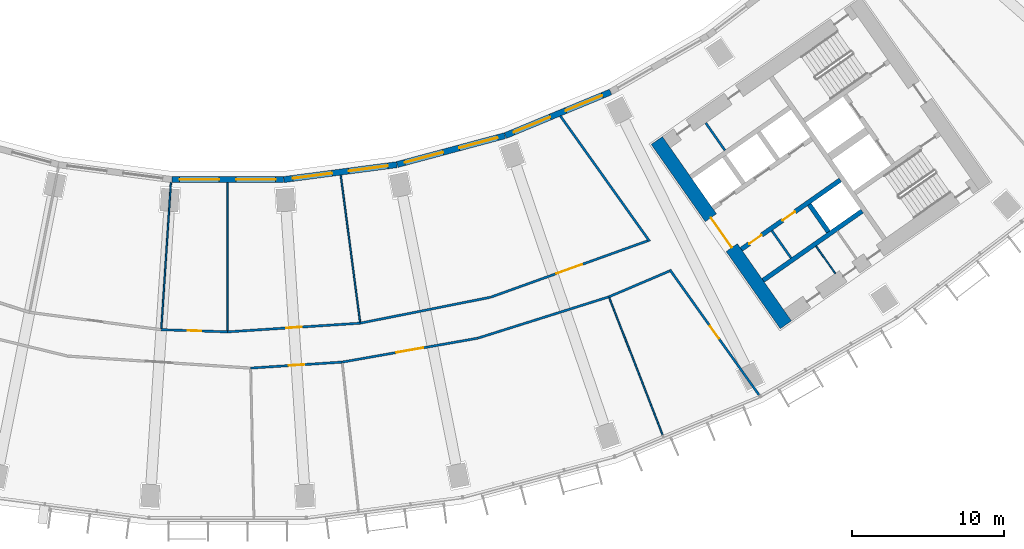
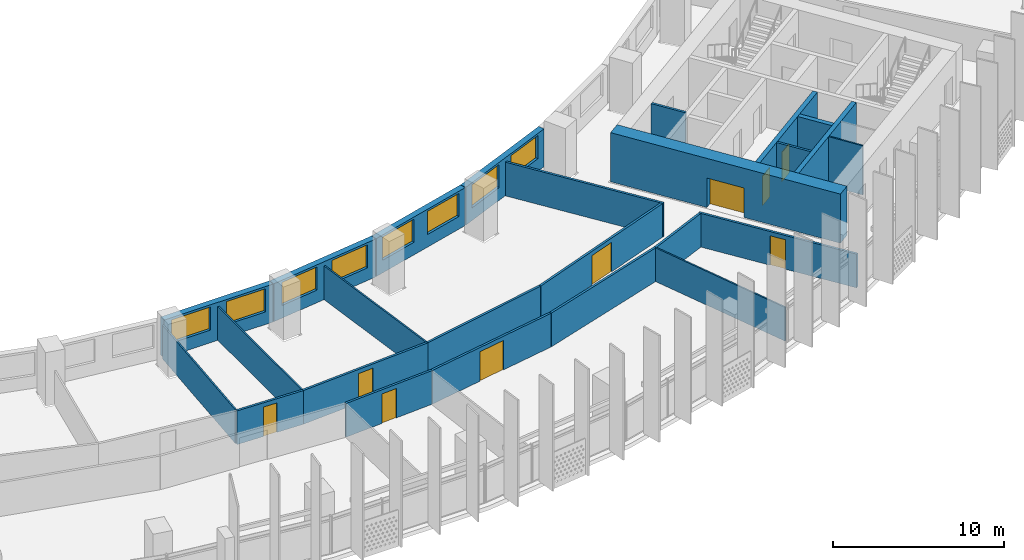
# One storey, part 6 of 33: 25 walls, 9 doors, 8 windows, 17 openings.
"""IFC4 building model written with IfcOpenShell, lengths in metres."""

from ifc_helpers import new_model, si_unit, direction, frame, frame_2d, origin, place, context, subcontext, project, spatial, rectangle, extrude, material, layer, layer_set, type_object, element, fill, save


model = new_model("IFC4")

# Units and contexts
model_context = context("Model", 3, precision=1e-05, world=origin(), true_north=direction((0.0, 1.0)))
body_context = subcontext(model_context, "Body", "Model", "MODEL_VIEW")
ifc_project = project(units=[si_unit("LENGTHUNIT", "METRE"), si_unit("AREAUNIT", "SQUARE_METRE"), si_unit("VOLUMEUNIT", "CUBIC_METRE"), si_unit("PLANEANGLEUNIT", "RADIAN"), si_unit("MASSUNIT", "GRAM", prefix="KILO")], contexts=[model_context])

# Site, building, storey
site_placement = place(None, origin())
site = spatial("IfcSite", under=ifc_project, at=site_placement, CompositionType="ELEMENT")
building_placement = place(site_placement, origin())
building = spatial("IfcBuilding", under=site, at=building_placement, Name="Qamariyya Broadcast Tower", CompositionType="ELEMENT")
storey_placement = place(building_placement, frame((0.0, 0.0, 94.89990234375)))
storey = spatial("IfcBuildingStorey", under=building, at=storey_placement, Name="L20", CompositionType="ELEMENT", Elevation=94.89990234375)

# Wall, opening, door
ifc_material_1 = material(Name="Concrete C70/85", Category="concrete")
ifc_layer_1 = layer(ifc_material_1, 0.89990234375)
ifc_layer_set_1 = layer_set([ifc_layer_1], Name="Core wall 900 mm Concrete C70/85")
wall_type_1 = type_object("IfcWallType", Name="Core wall 900 mm Concrete C70/85", PredefinedType="SHEAR", material=ifc_layer_set_1)
wall_1_placement = place(storey_placement, frame((36.716796875, -66.3369140625, 0.0), z_axis=(0.0, 0.0, 1.0), x_axis=(-0.573577477574, 0.819151315216, 0.0)))
wall_1 = element("IfcWall", 1, at=wall_1_placement, inside=storey, type_object=wall_type_1, Name="k-E-L20-WA", PredefinedType="SHEAR", context=body_context, shape_type="SweptSolid", body=[
    extrude(rectangle(XDim=14.800048828125, YDim=0.89990234375, at=frame_2d((7.39990234375, 0.0))), origin(), (0.0, 0.0, 1.0), 3.5),
])
opening_1_placement = place(wall_1_placement, frame((6.199951171875, 0.0, 0.0)))
opening_1 = element("IfcOpeningElement", 2, at=opening_1_placement, cuts=wall_1, Name="Opening KD3-E1", PredefinedType="OPENING", context=body_context, shape_type="SweptSolid", body=[
    extrude(rectangle(XDim=2.39990234375, YDim=2.10009765625, at=frame_2d((1.199951171875, 1.050048828125))), frame((0.0, 0.4599609375, 0.0), z_axis=(0.0, -1.0, 0.0), x_axis=(1.0, 0.0, 0.0)), (0.0, 0.0, 1.0), 0.919921875),
])
ifc_material_2 = material(Name="Steel fire-resisting door leaf", Category="steel")
door_type_1 = type_object("IfcDoorType", Name="Lift lobby door KD3", OperationType="DOUBLE_DOOR_SINGLE_SWING", PredefinedType="DOOR", material=ifc_material_2)
door_1_placement = place(opening_1_placement, origin())
door_1 = element("IfcDoor", 3, at=door_1_placement, inside=storey, type_object=door_type_1, Name="k-E-L20-WA-D1", OperationType="DOUBLE_DOOR_SINGLE_SWING", OverallHeight=2.10009765625, OverallWidth=2.39990234375, PredefinedType="DOOR", context=body_context, shape_type="SweptSolid", body=[
    extrude(rectangle(XDim=2.39990234375, YDim=2.10009765625, at=frame_2d((1.199951171875, 1.050048828125))), frame((0.0, 0.02490234375, 0.0), z_axis=(0.0, -1.0, 0.0), x_axis=(1.0, 0.0, 0.0)), (0.0, 0.0, 1.0), 0.050048828125),
])
fill(opening_1, door_1)

ifc_material_3 = material(Name="Gypsum board partition")
ifc_layer_2 = layer(ifc_material_3, 0.14990234375)
ifc_layer_set_2 = layer_set([ifc_layer_2], Name="Corridor partition 150 EI 60")
wall_type_2 = type_object("IfcWallType", Name="Corridor partition 150 EI 60", PredefinedType="PARTITIONING", material=ifc_layer_set_2)
wall_2_placement = place(storey_placement, frame((-4.368896484375, -66.656982421875, 0.0), z_axis=(0.0, 0.0, 1.0), x_axis=(0.99946426167, -0.03272903366, 0.0)))
wall_2 = element("IfcWall", 4, at=wall_2_placement, inside=storey, type_object=wall_type_2, Name="Partition L20-017", PredefinedType="PARTITIONING", context=body_context, shape_type="SweptSolid", body=[
    extrude(rectangle(XDim=4.371337890625, YDim=0.14990234375, at=frame_2d((2.185546875, 0.0))), origin(), (0.0, 0.0, 1.0), 2.400146484375),
])
opening_2_placement = place(wall_2_placement, frame((1.735595703125, 0.0, 0.0)))
opening_2 = element("IfcOpeningElement", 5, at=opening_2_placement, cuts=wall_2, Name="Opening L20-D08", PredefinedType="OPENING", context=body_context, shape_type="SweptSolid", body=[
    extrude(rectangle(XDim=0.89990234375, YDim=2.10009765625, at=frame_2d((0.449951171875, 1.050048828125))), frame((0.0, 0.0849609375, 0.0), z_axis=(0.0, -1.0, 0.0), x_axis=(1.0, 0.0, 0.0)), (0.0, 0.0, 1.0), 0.169921875),
])
ifc_material_4 = material(Name="Timber fire door leaf", Category="wood")
door_type_2 = type_object("IfcDoorType", Name="Fire door 900 x 2100 FD60", OperationType="NOTDEFINED", PredefinedType="DOOR", material=ifc_material_4)
door_2_placement = place(opening_2_placement, origin())
door_2 = element("IfcDoor", 6, at=door_2_placement, inside=storey, type_object=door_type_2, Name="Door L20-D08", OperationType="SINGLE_SWING_RIGHT", OverallHeight=2.10009765625, OverallWidth=0.89990234375, PredefinedType="DOOR", context=body_context, shape_type="SweptSolid", body=[
    extrude(rectangle(XDim=0.89990234375, YDim=2.10009765625, at=frame_2d((0.449951171875, 1.050048828125))), frame((0.0, 0.02490234375, 0.0), z_axis=(0.0, -1.0, 0.0), x_axis=(1.0, 0.0, 0.0)), (0.0, 0.0, 1.0), 0.050048828125),
])
fill(opening_2, door_2)

wall_3_placement = place(storey_placement, frame((0.0, -66.800048828125, 0.0), z_axis=(0.0, 0.0, 1.0), x_axis=(0.997858593599, 0.065408158359, 0.0)))
wall_3 = element("IfcWall", 7, at=wall_3_placement, inside=storey, type_object=wall_type_2, Name="Partition L20-019", PredefinedType="PARTITIONING", context=body_context, shape_type="SweptSolid", body=[
    extrude(rectangle(XDim=8.738037109375, YDim=0.14990234375, at=frame_2d((4.369140625, 0.0))), origin(), (0.0, 0.0, 1.0), 2.400146484375),
])
opening_3_placement = place(wall_3_placement, frame((3.868896484375, 0.0, 0.0)))
opening_3 = element("IfcOpeningElement", 8, at=opening_3_placement, cuts=wall_3, Name="Opening L20-D09", PredefinedType="OPENING", context=body_context, shape_type="SweptSolid", body=[
    extrude(rectangle(XDim=1.0, YDim=2.10009765625, at=frame_2d((0.5, 1.050048828125))), frame((0.0, 0.0849609375, 0.0), z_axis=(0.0, -1.0, 0.0), x_axis=(1.0, 0.0, 0.0)), (0.0, 0.0, 1.0), 0.169921875),
])
door_type_3 = type_object("IfcDoorType", Name="Fire door 1000 x 2100 FD60", OperationType="NOTDEFINED", PredefinedType="DOOR", material=ifc_material_4)
door_3_placement = place(opening_3_placement, origin())
door_3 = element("IfcDoor", 9, at=door_3_placement, inside=storey, type_object=door_type_3, Name="Door L20-D09", OperationType="SINGLE_SWING_RIGHT", OverallHeight=2.10009765625, OverallWidth=1.0, PredefinedType="DOOR", context=body_context, shape_type="SweptSolid", body=[
    extrude(rectangle(XDim=1.0, YDim=2.10009765625, at=frame_2d((0.5, 1.050048828125))), frame((0.0, 0.02490234375, 0.0), z_axis=(0.0, -1.0, 0.0), x_axis=(1.0, 0.0, 0.0)), (0.0, 0.0, 1.0), 0.050048828125),
])
fill(opening_3, door_3)

wall_4_placement = place(storey_placement, frame((7.53173828125, -68.788818359375, 0.0), z_axis=(0.0, 0.0, 1.0), x_axis=(-0.997856905736, -0.065433903101, 0.0)))
wall_4 = element("IfcWall", 10, at=wall_4_placement, inside=storey, type_object=wall_type_2, Name="Partition L20-021", PredefinedType="PARTITIONING", context=body_context, shape_type="SweptSolid", body=[
    extrude(rectangle(XDim=6.033203125, YDim=0.14990234375, at=frame_2d((3.0166015625, 0.0))), origin(), (0.0, 0.0, 1.0), 2.400146484375),
])
opening_4_placement = place(wall_4_placement, frame((2.5166015625, 0.0, 0.0)))
opening_4 = element("IfcOpeningElement", 11, at=opening_4_placement, cuts=wall_4, Name="Opening L20-D03", PredefinedType="OPENING", context=body_context, shape_type="SweptSolid", body=[
    extrude(rectangle(XDim=1.0, YDim=2.10009765625, at=frame_2d((0.5, 1.050048828125))), frame((0.0, 0.0849609375, 0.0), z_axis=(0.0, -1.0, 0.0), x_axis=(1.0, 0.0, 0.0)), (0.0, 0.0, 1.0), 0.169921875),
])
door_4_placement = place(opening_4_placement, origin())
door_4 = element("IfcDoor", 12, at=door_4_placement, inside=storey, type_object=door_type_3, Name="Door L20-D03", OperationType="SINGLE_SWING_RIGHT", OverallHeight=2.10009765625, OverallWidth=1.0, PredefinedType="DOOR", context=body_context, shape_type="SweptSolid", body=[
    extrude(rectangle(XDim=1.0, YDim=2.10009765625, at=frame_2d((0.5, 1.050048828125))), frame((0.0, 0.02490234375, 0.0), z_axis=(0.0, -1.0, 0.0), x_axis=(1.0, 0.0, 0.0)), (0.0, 0.0, 1.0), 0.050048828125),
])
fill(opening_4, door_4)

wall_5_placement = place(storey_placement, frame((16.438232421875, -67.21875, 0.0), z_axis=(0.0, 0.0, 1.0), x_axis=(-0.984815067313, -0.173606691096, 0.0)))
wall_5 = element("IfcWall", 13, at=wall_5_placement, inside=storey, type_object=wall_type_2, Name="Partition L20-024", PredefinedType="PARTITIONING", context=body_context, shape_type="SweptSolid", body=[
    extrude(rectangle(XDim=9.0439453125, YDim=0.14990234375, at=frame_2d((4.52197265625, 0.0))), origin(), (0.0, 0.0, 1.0), 2.400146484375),
])
opening_5_placement = place(wall_5_placement, frame((3.621826171875, 0.0, 0.0)))
opening_5 = element("IfcOpeningElement", 14, at=opening_5_placement, cuts=wall_5, Name="Opening L20-D04", PredefinedType="OPENING", context=body_context, shape_type="SweptSolid", body=[
    extrude(rectangle(XDim=1.800048828125, YDim=2.10009765625, at=frame_2d((0.89990234375, 1.050048828125))), frame((0.0, 0.0849609375, 0.0), z_axis=(0.0, -1.0, 0.0), x_axis=(1.0, 0.0, 0.0)), (0.0, 0.0, 1.0), 0.169921875),
])
door_type_4 = type_object("IfcDoorType", Name="Double fire door 1800 x 2100 FD60", OperationType="NOTDEFINED", PredefinedType="DOOR", material=ifc_material_4)
door_5_placement = place(opening_5_placement, origin())
door_5 = element("IfcDoor", 15, at=door_5_placement, inside=storey, type_object=door_type_4, Name="Door L20-D04", OperationType="DOUBLE_DOOR_SINGLE_SWING", OverallHeight=2.10009765625, OverallWidth=1.800048828125, PredefinedType="DOOR", context=body_context, shape_type="SweptSolid", body=[
    extrude(rectangle(XDim=1.800048828125, YDim=2.10009765625, at=frame_2d((0.89990234375, 1.050048828125))), frame((0.0, 0.02490234375, 0.0), z_axis=(0.0, -1.0, 0.0), x_axis=(1.0, 0.0, 0.0)), (0.0, 0.0, 1.0), 0.050048828125),
])
fill(opening_5, door_5)

# Walls
wall_6_placement = place(storey_placement, frame((8.71923828125, -66.228515625, 0.0), z_axis=(0.0, 0.0, 1.0), x_axis=(0.980787736115, 0.195077975915, 0.0)))
element("IfcWall", 16, at=wall_6_placement, inside=storey, type_object=wall_type_2, Name="Partition L20-026", PredefinedType="PARTITIONING", context=body_context, shape_type="SweptSolid", body=[
    extrude(rectangle(XDim=8.729248046875, YDim=0.14990234375, at=frame_2d((4.36474609375, 0.0))), origin(), (0.0, 0.0, 1.0), 2.400146484375),
])
wall_7_placement = place(storey_placement, frame((16.45361328125, -67.21484375, 0.0), z_axis=(0.0, 0.0, 1.0), x_axis=(0.953726170353, 0.300676557089, 0.0)))
element("IfcWall", 17, at=wall_7_placement, inside=storey, type_object=wall_type_2, Name="Partition L20-027", PredefinedType="PARTITIONING", context=body_context, shape_type="SweptSolid", body=[
    extrude(rectangle(XDim=9.043701171875, YDim=0.14990234375, at=frame_2d((4.52197265625, 0.0))), origin(), (0.0, 0.0, 1.0), 2.400146484375),
])

# Wall, opening, door
wall_8_placement = place(storey_placement, frame((17.297119140625, -64.52099609375, 0.0), z_axis=(0.0, 0.0, 1.0), x_axis=(0.941151914592, 0.337983836389, 0.0)))
wall_8 = element("IfcWall", 18, at=wall_8_placement, inside=storey, type_object=wall_type_2, Name="Partition L20-028", PredefinedType="PARTITIONING", context=body_context, shape_type="SweptSolid", body=[
    extrude(rectangle(XDim=10.98974609375, YDim=0.14990234375, at=frame_2d((5.494873046875, 0.0))), origin(), (0.0, 0.0, 1.0), 2.400146484375),
])
opening_6_placement = place(wall_8_placement, frame((4.5947265625, 0.0, 0.0)))
opening_6 = element("IfcOpeningElement", 19, at=opening_6_placement, cuts=wall_8, Name="Opening L20-D10", PredefinedType="OPENING", context=body_context, shape_type="SweptSolid", body=[
    extrude(rectangle(XDim=1.800048828125, YDim=2.10009765625, at=frame_2d((0.89990234375, 1.050048828125))), frame((0.0, 0.0849609375, 0.0), z_axis=(0.0, -1.0, 0.0), x_axis=(1.0, 0.0, 0.0)), (0.0, 0.0, 1.0), 0.169921875),
])
door_6_placement = place(opening_6_placement, origin())
door_6 = element("IfcDoor", 20, at=door_6_placement, inside=storey, type_object=door_type_4, Name="Door L20-D10", OperationType="DOUBLE_DOOR_SINGLE_SWING", OverallHeight=2.10009765625, OverallWidth=1.800048828125, PredefinedType="DOOR", context=body_context, shape_type="SweptSolid", body=[
    extrude(rectangle(XDim=1.800048828125, YDim=2.10009765625, at=frame_2d((0.89990234375, 1.050048828125))), frame((0.0, 0.02490234375, 0.0), z_axis=(0.0, -1.0, 0.0), x_axis=(1.0, 0.0, 0.0)), (0.0, 0.0, 1.0), 0.050048828125),
])
fill(opening_6, door_6)

# Walls
wall_9_placement = place(storey_placement, frame((21.8837890625, -52.59765625, 0.0), z_axis=(0.0, 0.0, 1.0), x_axis=(0.580016763963, -0.814604538118, 0.0)))
element("IfcWall", 21, at=wall_9_placement, inside=storey, type_object=wall_type_2, Name="Partition L20-029", PredefinedType="PARTITIONING", context=body_context, shape_type="SweptSolid", body=[
    extrude(rectangle(XDim=10.12109375, YDim=0.14990234375, at=frame_2d((5.060546875, 0.0))), origin(), (0.0, 0.0, 1.0), 2.400146484375),
])
wall_10_placement = place(storey_placement, frame((25.078857421875, -64.49560546875, 0.0), z_axis=(0.0, 0.0, 1.0), x_axis=(0.9200243558, 0.391861180438, 0.0)))
element("IfcWall", 22, at=wall_10_placement, inside=storey, type_object=wall_type_2, Name="Partition L20-030", PredefinedType="PARTITIONING", context=body_context, shape_type="SweptSolid", body=[
    extrude(rectangle(XDim=4.32568359375, YDim=0.14990234375, at=frame_2d((2.162841796875, 0.0))), origin(), (0.0, 0.0, 1.0), 2.400146484375),
])

# Wall, opening, door
wall_11_placement = place(storey_placement, frame((34.95751953125, -70.958984375, 0.0), z_axis=(0.0, 0.0, 1.0), x_axis=(-0.580031092611, 0.814594335608, 0.0)))
wall_11 = element("IfcWall", 23, at=wall_11_placement, inside=storey, type_object=wall_type_2, Name="Partition L20-032", PredefinedType="PARTITIONING", context=body_context, shape_type="SweptSolid", body=[
    extrude(rectangle(XDim=10.126220703125, YDim=0.14990234375, at=frame_2d((5.06298828125, 0.0))), origin(), (0.0, 0.0, 1.0), 2.400146484375),
])
opening_7_placement = place(wall_11_placement, frame((4.563232421875, 0.0, 0.0)))
opening_7 = element("IfcOpeningElement", 24, at=opening_7_placement, cuts=wall_11, Name="Opening L20-D05", PredefinedType="OPENING", context=body_context, shape_type="SweptSolid", body=[
    extrude(rectangle(XDim=1.0, YDim=2.10009765625, at=frame_2d((0.5, 1.050048828125))), frame((0.0, 0.0849609375, 0.0), z_axis=(0.0, -1.0, 0.0), x_axis=(1.0, 0.0, 0.0)), (0.0, 0.0, 1.0), 0.169921875),
])
door_7_placement = place(opening_7_placement, origin())
door_7 = element("IfcDoor", 25, at=door_7_placement, inside=storey, type_object=door_type_3, Name="Door L20-D05", OperationType="SINGLE_SWING_RIGHT", OverallHeight=2.10009765625, OverallWidth=1.0, PredefinedType="DOOR", context=body_context, shape_type="SweptSolid", body=[
    extrude(rectangle(XDim=1.0, YDim=2.10009765625, at=frame_2d((0.5, 1.050048828125))), frame((0.0, 0.02490234375, 0.0), z_axis=(0.0, -1.0, 0.0), x_axis=(1.0, 0.0, 0.0)), (0.0, 0.0, 1.0), 0.050048828125),
])
fill(opening_7, door_7)

# Walls
ifc_material_5 = material(Name="Gypsum board partition on steel studs", Category="steel")
ifc_layer_3 = layer(ifc_material_5, 0.14990234375)
ifc_layer_set_3 = layer_set([ifc_layer_3], Name="Gypsum board partition 150 mm")
wall_type_3 = type_object("IfcWallType", Name="Gypsum board partition 150 mm", PredefinedType="PARTITIONING", material=ifc_layer_set_3)
for number, where, z_axis, x_axis, name in (
    (26, (35.79833984375, -60.143798828125, 0.0), (0.0, 0.0, 1.0), (0.573633636671, -0.819111989218, 0.0), "k-E-L20-SC235"),
    (27, (32.709228515625, -54.860107421875, 0.0), (0.0, 0.0, 1.0), (-0.573633636671, 0.819111989218, 0.0), "k-E-L20-NP285"),
):
    element("IfcWall", number, at=place(storey_placement, frame(where, z_axis=z_axis, x_axis=x_axis)), inside=storey, type_object=wall_type_3, Name=name, PredefinedType="PARTITIONING", context=body_context, shape_type="SweptSolid", body=[
        extrude(rectangle(XDim=2.199951171875, YDim=0.14990234375, at=frame_2d((1.10009765625, 0.0))), origin(), (0.0, 0.0, 1.0), 3.5),
    ])

# Wall, openings, doors
ifc_material_6 = material(Name="Concrete C60/75", Category="concrete")
ifc_layer_4 = layer(ifc_material_6, 0.300048828125)
ifc_layer_set_4 = layer_set([ifc_layer_4], Name="Lift shaft wall 300 mm Concrete C60/75")
wall_type_4 = type_object("IfcWallType", Name="Lift shaft wall 300 mm Concrete C60/75", PredefinedType="SOLIDWALL", material=ifc_layer_set_4)
wall_12_placement = place(storey_placement, frame((33.787353515625, -61.368896484375, 0.0), z_axis=(0.0, 0.0, 1.0), x_axis=(0.819152564888, 0.573575692858, 0.0)))
wall_12 = element("IfcWall", 28, at=wall_12_placement, inside=storey, type_object=wall_type_4, Name="k-E-L20-SF0", PredefinedType="SOLIDWALL", context=body_context, shape_type="SweptSolid", body=[
    extrude(rectangle(XDim=7.9501953125, YDim=0.300048828125, at=frame_2d((3.97509765625, 0.0))), origin(), (0.0, 0.0, 1.0), 3.5),
])
opening_8_placement = place(wall_12_placement, frame((0.637451171875, 0.0, 0.0)))
opening_8 = element("IfcOpeningElement", 29, at=opening_8_placement, cuts=wall_12, Name="Opening KD6-E1", PredefinedType="OPENING", context=body_context, shape_type="SweptSolid", body=[
    extrude(rectangle(XDim=1.0, YDim=2.10009765625, at=frame_2d((0.5, 1.050048828125))), frame((0.0, 0.159912109375, 0.0), z_axis=(0.0, -1.0, 0.0), x_axis=(1.0, 0.0, 0.0)), (0.0, 0.0, 1.0), 0.320068359375),
])
opening_9_placement = place(wall_12_placement, frame((3.3125, 0.0, 0.0)))
opening_9 = element("IfcOpeningElement", 30, at=opening_9_placement, cuts=wall_12, Name="Opening KD4-E1", PredefinedType="OPENING", context=body_context, shape_type="SweptSolid", body=[
    extrude(rectangle(XDim=1.0, YDim=2.10009765625, at=frame_2d((0.5, 1.050048828125))), frame((0.0, 0.159912109375, 0.0), z_axis=(0.0, -1.0, 0.0), x_axis=(1.0, 0.0, 0.0)), (0.0, 0.0, 1.0), 0.320068359375),
])
door_type_5 = type_object("IfcDoorType", Name="Core room door KD6", OperationType="SINGLE_SWING_LEFT", PredefinedType="DOOR", material=ifc_material_2)
door_8_placement = place(opening_8_placement, origin())
door_8 = element("IfcDoor", 31, at=door_8_placement, inside=storey, type_object=door_type_5, Name="k-E-L20-SF0-D5", OperationType="SINGLE_SWING_LEFT", OverallHeight=2.10009765625, OverallWidth=1.0, PredefinedType="DOOR", context=body_context, shape_type="SweptSolid", body=[
    extrude(rectangle(XDim=1.0, YDim=2.10009765625, at=frame_2d((0.5, 1.050048828125))), frame((0.0, 0.02490234375, 0.0), z_axis=(0.0, -1.0, 0.0), x_axis=(1.0, 0.0, 0.0)), (0.0, 0.0, 1.0), 0.050048828125),
])
fill(opening_8, door_8)
door_type_6 = type_object("IfcDoorType", Name="Riser and plant door KD4", OperationType="SINGLE_SWING_LEFT", PredefinedType="DOOR", material=ifc_material_2)
door_9_placement = place(opening_9_placement, origin())
door_9 = element("IfcDoor", 32, at=door_9_placement, inside=storey, type_object=door_type_6, Name="k-E-L20-SF0-D6", OperationType="SINGLE_SWING_RIGHT", OverallHeight=2.10009765625, OverallWidth=1.0, PredefinedType="DOOR", context=body_context, shape_type="SweptSolid", body=[
    extrude(rectangle(XDim=1.0, YDim=2.10009765625, at=frame_2d((0.5, 1.050048828125))), frame((0.0, 0.02490234375, 0.0), z_axis=(0.0, -1.0, 0.0), x_axis=(1.0, 0.0, 0.0)), (0.0, 0.0, 1.0), 0.050048828125),
])
fill(opening_9, door_9)

# Walls
wall_13_placement = place(storey_placement, frame((35.22119140625, -63.41650390625, 0.0), z_axis=(0.0, 0.0, 1.0), x_axis=(0.819166993208, 0.573555086491, 0.0)))
element("IfcWall", 33, at=wall_13_placement, inside=storey, type_object=wall_type_4, Name="k-E-L20-SB0", PredefinedType="SOLIDWALL", context=body_context, shape_type="SweptSolid", body=[
    extrude(rectangle(XDim=7.9501953125, YDim=0.300048828125, at=frame_2d((3.97509765625, 0.0))), origin(), (0.0, 0.0, 1.0), 3.5),
])
wall_14_placement = place(storey_placement, frame((38.255859375, -58.423095703125, 0.0), z_axis=(0.0, 0.0, 1.0), x_axis=(0.573633636671, -0.819111989218, 0.0)))
element("IfcWall", 34, at=wall_14_placement, inside=storey, type_object=wall_type_4, Name="k-E-L20-SD1", PredefinedType="SOLIDWALL", context=body_context, shape_type="SweptSolid", body=[
    extrude(rectangle(XDim=2.199951171875, YDim=0.300048828125, at=frame_2d((1.10009765625, 0.0))), origin(), (0.0, 0.0, 1.0), 3.5),
])
ifc_layer_5 = layer(ifc_material_3, 0.10009765625)
ifc_layer_set_5 = layer_set([ifc_layer_5], Name="Partition 100")
wall_type_5 = type_object("IfcWallType", Name="Partition 100", PredefinedType="PARTITIONING", material=ifc_layer_set_5)
wall_15_placement = place(storey_placement, frame((-3.734619140625, -56.977783203125, 0.0), z_axis=(0.0, 0.0, 1.0), x_axis=(-0.065392665599, -0.997859609006, 0.0)))
element("IfcWall", 35, at=wall_15_placement, inside=storey, type_object=wall_type_5, Name="Partition L20-018", PredefinedType="PARTITIONING", context=body_context, shape_type="SweptSolid", body=[
    extrude(rectangle(XDim=9.624755859375, YDim=0.10009765625, at=frame_2d((4.8125, 0.0))), origin(), (0.0, 0.0, 1.0), 2.400146484375),
])
wall_16_placement = place(storey_placement, frame((0.0, -56.978515625, 0.0), z_axis=(0.0, 0.0, 1.0), x_axis=(0.0, -1.0, 0.0)))
element("IfcWall", 36, at=wall_16_placement, inside=storey, type_object=wall_type_5, Name="Partition L20-020", PredefinedType="PARTITIONING", context=body_context, shape_type="SweptSolid", body=[
    extrude(rectangle(XDim=9.74658203125, YDim=0.10009765625, at=frame_2d((4.873291015625, 0.0))), origin(), (0.0, 0.0, 1.0), 2.400146484375),
])
wall_17_placement = place(storey_placement, frame((7.437255859375, -56.4912109375, 0.0), z_axis=(0.0, 0.0, 1.0), x_axis=(0.13053421433, -0.99144380521, 0.0)))
element("IfcWall", 37, at=wall_17_placement, inside=storey, type_object=wall_type_5, Name="Partition L20-023", PredefinedType="PARTITIONING", context=body_context, shape_type="SweptSolid", body=[
    extrude(rectangle(XDim=9.746337890625, YDim=0.10009765625, at=frame_2d((4.873046875, 0.0))), origin(), (0.0, 0.0, 1.0), 2.400146484375),
])
wall_18_placement = place(storey_placement, frame((28.612060546875, -73.58203125, 0.0), z_axis=(0.0, 0.0, 1.0), x_axis=(-0.362392675792, 0.93202550852, 0.0)))
element("IfcWall", 38, at=wall_18_placement, inside=storey, type_object=wall_type_5, Name="Partition L20-031", PredefinedType="PARTITIONING", context=body_context, shape_type="SweptSolid", body=[
    extrude(rectangle(XDim=9.67431640625, YDim=0.10009765625, at=frame_2d((4.837158203125, 0.0))), origin(), (0.0, 0.0, 1.0), 2.400146484375),
])
ifc_material_7 = material(Name="Fire-rated gypsum shaft liner on steel studs", Category="steel")
ifc_layer_6 = layer(ifc_material_7, 0.10009765625)
ifc_layer_set_6 = layer_set([ifc_layer_6], Name="Riser wall 100 mm")
wall_type_6 = type_object("IfcWallType", Name="Riser wall 100 mm", PredefinedType="PLUMBINGWALL", material=ifc_layer_set_6)
wall_19_placement = place(storey_placement, frame((38.706787109375, -61.1591796875, 0.0), z_axis=(0.0, 0.0, 1.0), x_axis=(0.573633636671, -0.819111989218, 0.0)))
element("IfcWall", 39, at=wall_19_placement, inside=storey, type_object=wall_type_6, Name="k-E-L20-SP415", PredefinedType="PLUMBINGWALL", context=body_context, shape_type="SweptSolid", body=[
    extrude(rectangle(XDim=2.199951171875, YDim=0.10009765625, at=frame_2d((1.10009765625, 0.0))), origin(), (0.0, 0.0, 1.0), 3.5),
])

# Wall, openings, windows
ifc_material_8 = material(Name="Terracotta", Category="masonry")
ifc_layer_7 = layer(ifc_material_8, 0.39990234375)
ifc_layer_set_7 = layer_set([ifc_layer_7], Name="Terracotta clad wall 400")
wall_type_7 = type_object("IfcWallType", Name="Terracotta clad wall 400", PredefinedType="SOLIDWALL", material=ifc_layer_set_7)
wall_20_placement = place(storey_placement, frame((11.12548828125, -55.803955078125, 0.0), z_axis=(0.0, 0.0, 1.0), x_axis=(-0.991444533306, -0.130528684121, 0.0)))
wall_20 = element("IfcWall", 40, at=wall_20_placement, inside=storey, type_object=wall_type_7, Name="e-wl-L20-in100", PredefinedType="SOLIDWALL", context=body_context, shape_type="SweptSolid", body=[
    extrude(rectangle(XDim=7.492919921875, YDim=0.39990234375, at=frame_2d((3.74658203125, 0.0))), origin(), (0.0, 0.0, 1.0), 2.7001953125),
])
opening_10_placement = place(wall_20_placement, frame((4.300537109375, 0.0, 0.89990234375)))
opening_10 = element("IfcOpeningElement", 41, at=opening_10_placement, cuts=wall_20, Name="Opening W1", PredefinedType="OPENING", context=body_context, shape_type="SweptSolid", body=[
    extrude(rectangle(XDim=2.60009765625, YDim=1.64990234375, at=frame_2d((1.300048828125, 0.824951171875))), frame((0.0, 0.2099609375, 0.0), z_axis=(0.0, -1.0, 0.0), x_axis=(1.0, 0.0, 0.0)), (0.0, 0.0, 1.0), 0.419921875),
])
opening_11_placement = place(wall_20_placement, frame((0.59228515625, 0.0, 0.89990234375)))
opening_11 = element("IfcOpeningElement", 42, at=opening_11_placement, cuts=wall_20, Name="Opening W1", PredefinedType="OPENING", context=body_context, shape_type="SweptSolid", body=[
    extrude(rectangle(XDim=2.60009765625, YDim=1.64990234375, at=frame_2d((1.300048828125, 0.824951171875))), frame((0.0, 0.2099609375, 0.0), z_axis=(0.0, -1.0, 0.0), x_axis=(1.0, 0.0, 0.0)), (0.0, 0.0, 1.0), 0.419921875),
])
ifc_material_9 = material(Name="Clear low-e double glazed unit in aluminium frame", Category="aluminium")
window_type = type_object("IfcWindowType", Name="Ribbon window 2600 x 1650", PartitioningType="SINGLE_PANEL", PredefinedType="WINDOW", material=ifc_material_9)
window_1_placement = place(opening_10_placement, origin())
window_1 = element("IfcWindow", 43, at=window_1_placement, inside=storey, type_object=window_type, Name="e-w-L20-in10-0", OverallHeight=1.64990234375, OverallWidth=2.60009765625, PartitioningType="SINGLE_PANEL", PredefinedType="WINDOW", context=body_context, shape_type="SweptSolid", body=[
    extrude(rectangle(XDim=2.60009765625, YDim=1.64990234375, at=frame_2d((1.300048828125, 0.824951171875))), frame((0.0, 0.030029296875, 0.0), z_axis=(0.0, -1.0, 0.0), x_axis=(1.0, 0.0, 0.0)), (0.0, 0.0, 1.0), 0.06005859375),
])
fill(opening_10, window_1)
window_2_placement = place(opening_11_placement, origin())
window_2 = element("IfcWindow", 44, at=window_2_placement, inside=storey, type_object=window_type, Name="e-w-L20-in10-1", OverallHeight=1.64990234375, OverallWidth=2.60009765625, PartitioningType="SINGLE_PANEL", PredefinedType="WINDOW", context=body_context, shape_type="SweptSolid", body=[
    extrude(rectangle(XDim=2.60009765625, YDim=1.64990234375, at=frame_2d((1.300048828125, 0.824951171875))), frame((0.0, 0.030029296875, 0.0), z_axis=(0.0, -1.0, 0.0), x_axis=(1.0, 0.0, 0.0)), (0.0, 0.0, 1.0), 0.06005859375),
])
fill(opening_11, window_2)

wall_21_placement = place(storey_placement, frame((18.240966796875, -53.893798828125, 0.0), z_axis=(0.0, 0.0, 1.0), x_axis=(-0.965924597867, -0.258823629594, 0.0)))
wall_21 = element("IfcWall", 45, at=wall_21_placement, inside=storey, type_object=wall_type_7, Name="e-wl-L20-in110", PredefinedType="SOLIDWALL", context=body_context, shape_type="SweptSolid", body=[
    extrude(rectangle(XDim=7.341552734375, YDim=0.39990234375, at=frame_2d((3.6708984375, 0.0))), origin(), (0.0, 0.0, 1.0), 2.7001953125),
])
opening_12_placement = place(wall_21_placement, frame((4.224853515625, 0.0, 0.89990234375)))
opening_12 = element("IfcOpeningElement", 46, at=opening_12_placement, cuts=wall_21, Name="Opening W1", PredefinedType="OPENING", context=body_context, shape_type="SweptSolid", body=[
    extrude(rectangle(XDim=2.60009765625, YDim=1.64990234375, at=frame_2d((1.300048828125, 0.824951171875))), frame((0.0, 0.2099609375, 0.0), z_axis=(0.0, -1.0, 0.0), x_axis=(1.0, 0.0, 0.0)), (0.0, 0.0, 1.0), 0.419921875),
])
opening_13_placement = place(wall_21_placement, frame((0.5166015625, 0.0, 0.89990234375)))
opening_13 = element("IfcOpeningElement", 47, at=opening_13_placement, cuts=wall_21, Name="Opening W1", PredefinedType="OPENING", context=body_context, shape_type="SweptSolid", body=[
    extrude(rectangle(XDim=2.60009765625, YDim=1.64990234375, at=frame_2d((1.300048828125, 0.824951171875))), frame((0.0, 0.2099609375, 0.0), z_axis=(0.0, -1.0, 0.0), x_axis=(1.0, 0.0, 0.0)), (0.0, 0.0, 1.0), 0.419921875),
])
window_3_placement = place(opening_12_placement, origin())
window_3 = element("IfcWindow", 48, at=window_3_placement, inside=storey, type_object=window_type, Name="e-w-L20-in11-0", OverallHeight=1.64990234375, OverallWidth=2.60009765625, PartitioningType="SINGLE_PANEL", PredefinedType="WINDOW", context=body_context, shape_type="SweptSolid", body=[
    extrude(rectangle(XDim=2.60009765625, YDim=1.64990234375, at=frame_2d((1.300048828125, 0.824951171875))), frame((0.0, 0.030029296875, 0.0), z_axis=(0.0, -1.0, 0.0), x_axis=(1.0, 0.0, 0.0)), (0.0, 0.0, 1.0), 0.06005859375),
])
fill(opening_12, window_3)
window_4_placement = place(opening_13_placement, origin())
window_4 = element("IfcWindow", 49, at=window_4_placement, inside=storey, type_object=window_type, Name="e-w-L20-in11-1", OverallHeight=1.64990234375, OverallWidth=2.60009765625, PartitioningType="SINGLE_PANEL", PredefinedType="WINDOW", context=body_context, shape_type="SweptSolid", body=[
    extrude(rectangle(XDim=2.60009765625, YDim=1.64990234375, at=frame_2d((1.300048828125, 0.824951171875))), frame((0.0, 0.030029296875, 0.0), z_axis=(0.0, -1.0, 0.0), x_axis=(1.0, 0.0, 0.0)), (0.0, 0.0, 1.0), 0.06005859375),
])
fill(opening_13, window_4)

wall_22_placement = place(storey_placement, frame((25.189453125, -51.02294921875, 0.0), z_axis=(0.0, 0.0, 1.0), x_axis=(-0.923879826967, -0.382682721486, 0.0)))
wall_22 = element("IfcWall", 50, at=wall_22_placement, inside=storey, type_object=wall_type_7, Name="e-wl-L20-in120", PredefinedType="SOLIDWALL", context=body_context, shape_type="SweptSolid", body=[
    extrude(rectangle(XDim=7.492919921875, YDim=0.39990234375, at=frame_2d((3.74658203125, 0.0))), origin(), (0.0, 0.0, 1.0), 2.7001953125),
])
opening_14_placement = place(wall_22_placement, frame((4.300537109375, 0.0, 0.89990234375)))
opening_14 = element("IfcOpeningElement", 51, at=opening_14_placement, cuts=wall_22, Name="Opening W1", PredefinedType="OPENING", context=body_context, shape_type="SweptSolid", body=[
    extrude(rectangle(XDim=2.60009765625, YDim=1.64990234375, at=frame_2d((1.300048828125, 0.824951171875))), frame((0.0, 0.2099609375, 0.0), z_axis=(0.0, -1.0, 0.0), x_axis=(1.0, 0.0, 0.0)), (0.0, 0.0, 1.0), 0.419921875),
])
opening_15_placement = place(wall_22_placement, frame((0.59228515625, 0.0, 0.89990234375)))
opening_15 = element("IfcOpeningElement", 52, at=opening_15_placement, cuts=wall_22, Name="Opening W1", PredefinedType="OPENING", context=body_context, shape_type="SweptSolid", body=[
    extrude(rectangle(XDim=2.60009765625, YDim=1.64990234375, at=frame_2d((1.300048828125, 0.824951171875))), frame((0.0, 0.2099609375, 0.0), z_axis=(0.0, -1.0, 0.0), x_axis=(1.0, 0.0, 0.0)), (0.0, 0.0, 1.0), 0.419921875),
])
window_5_placement = place(opening_14_placement, origin())
window_5 = element("IfcWindow", 53, at=window_5_placement, inside=storey, type_object=window_type, Name="e-w-L20-in12-0", OverallHeight=1.64990234375, OverallWidth=2.60009765625, PartitioningType="SINGLE_PANEL", PredefinedType="WINDOW", context=body_context, shape_type="SweptSolid", body=[
    extrude(rectangle(XDim=2.60009765625, YDim=1.64990234375, at=frame_2d((1.300048828125, 0.824951171875))), frame((0.0, 0.030029296875, 0.0), z_axis=(0.0, -1.0, 0.0), x_axis=(1.0, 0.0, 0.0)), (0.0, 0.0, 1.0), 0.06005859375),
])
fill(opening_14, window_5)
window_6_placement = place(opening_15_placement, origin())
window_6 = element("IfcWindow", 54, at=window_6_placement, inside=storey, type_object=window_type, Name="e-w-L20-in12-1", OverallHeight=1.64990234375, OverallWidth=2.60009765625, PartitioningType="SINGLE_PANEL", PredefinedType="WINDOW", context=body_context, shape_type="SweptSolid", body=[
    extrude(rectangle(XDim=2.60009765625, YDim=1.64990234375, at=frame_2d((1.300048828125, 0.824951171875))), frame((0.0, 0.030029296875, 0.0), z_axis=(0.0, -1.0, 0.0), x_axis=(1.0, 0.0, 0.0)), (0.0, 0.0, 1.0), 0.06005859375),
])
fill(opening_15, window_6)

wall_23_placement = place(storey_placement, frame((3.670654296875, -56.778564453125, 0.0), z_axis=(0.0, 0.0, 1.0), x_axis=(-1.0, 0.0, 0.0)))
wall_23 = element("IfcWall", 55, at=wall_23_placement, inside=storey, type_object=wall_type_7, Name="e-wl-L20-in90", PredefinedType="SOLIDWALL", context=body_context, shape_type="SweptSolid", body=[
    extrude(rectangle(XDim=7.34130859375, YDim=0.39990234375, at=frame_2d((3.670654296875, 0.0))), origin(), (0.0, 0.0, 1.0), 2.7001953125),
])
opening_16_placement = place(wall_23_placement, frame((4.224853515625, 0.0, 0.89990234375)))
opening_16 = element("IfcOpeningElement", 56, at=opening_16_placement, cuts=wall_23, Name="Opening W1", PredefinedType="OPENING", context=body_context, shape_type="SweptSolid", body=[
    extrude(rectangle(XDim=2.60009765625, YDim=1.64990234375, at=frame_2d((1.300048828125, 0.824951171875))), frame((0.0, 0.2099609375, 0.0), z_axis=(0.0, -1.0, 0.0), x_axis=(1.0, 0.0, 0.0)), (0.0, 0.0, 1.0), 0.419921875),
])
opening_17_placement = place(wall_23_placement, frame((0.5166015625, 0.0, 0.89990234375)))
opening_17 = element("IfcOpeningElement", 57, at=opening_17_placement, cuts=wall_23, Name="Opening W1", PredefinedType="OPENING", context=body_context, shape_type="SweptSolid", body=[
    extrude(rectangle(XDim=2.60009765625, YDim=1.64990234375, at=frame_2d((1.300048828125, 0.824951171875))), frame((0.0, 0.2099609375, 0.0), z_axis=(0.0, -1.0, 0.0), x_axis=(1.0, 0.0, 0.0)), (0.0, 0.0, 1.0), 0.419921875),
])
window_7_placement = place(opening_16_placement, origin())
window_7 = element("IfcWindow", 58, at=window_7_placement, inside=storey, type_object=window_type, Name="e-w-L20-in09-0", OverallHeight=1.64990234375, OverallWidth=2.60009765625, PartitioningType="SINGLE_PANEL", PredefinedType="WINDOW", context=body_context, shape_type="SweptSolid", body=[
    extrude(rectangle(XDim=2.60009765625, YDim=1.64990234375, at=frame_2d((1.300048828125, 0.824951171875))), frame((0.0, 0.030029296875, 0.0), z_axis=(0.0, -1.0, 0.0), x_axis=(1.0, 0.0, 0.0)), (0.0, 0.0, 1.0), 0.06005859375),
])
fill(opening_16, window_7)
window_8_placement = place(opening_17_placement, origin())
window_8 = element("IfcWindow", 59, at=window_8_placement, inside=storey, type_object=window_type, Name="e-w-L20-in09-1", OverallHeight=1.64990234375, OverallWidth=2.60009765625, PartitioningType="SINGLE_PANEL", PredefinedType="WINDOW", context=body_context, shape_type="SweptSolid", body=[
    extrude(rectangle(XDim=2.60009765625, YDim=1.64990234375, at=frame_2d((1.300048828125, 0.824951171875))), frame((0.0, 0.030029296875, 0.0), z_axis=(0.0, -1.0, 0.0), x_axis=(1.0, 0.0, 0.0)), (0.0, 0.0, 1.0), 0.06005859375),
])
fill(opening_17, window_8)

save(model, "model.ifc")
